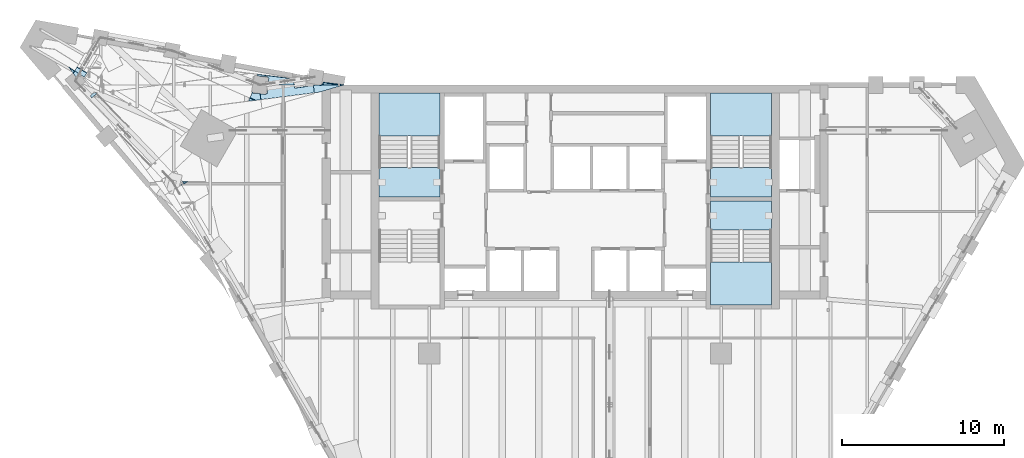
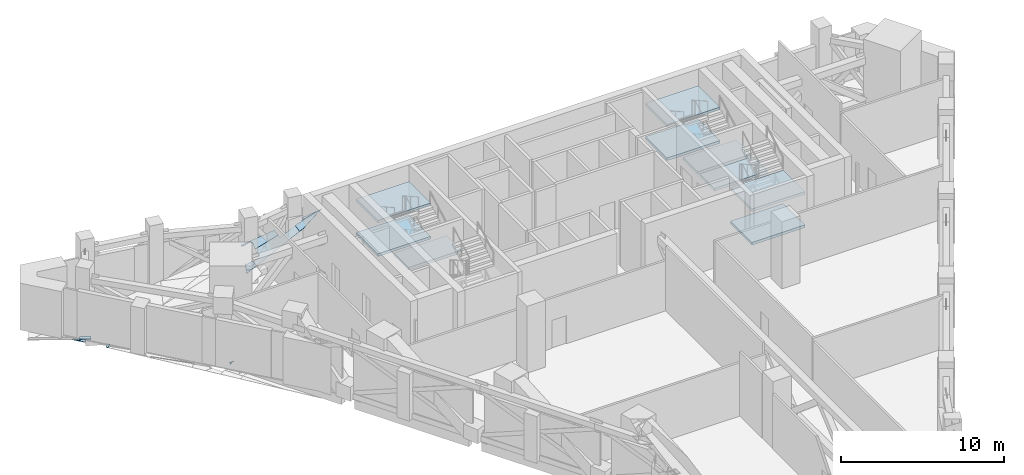
# One storey, part 8 of 22: 12 plates, 9 slabs, 3 elements without a shape of their own.
"""IFC4 building model written with IfcOpenShell, lengths in metres."""

from ifc_helpers import new_model, si_unit, direction, frame, origin, place, context, subcontext, project, spatial, polyline, outline, extrude, material, layer, layer_set, type_object, element, aggregate, save


model = new_model("IFC4")

# Units and contexts
model_context = context("Model", 3, precision=1e-05, world=origin(), true_north=direction((0.0, 1.0)))
body_context = subcontext(model_context, "Body", "Model", "MODEL_VIEW")
ifc_project = project(units=[si_unit("LENGTHUNIT", "METRE"), si_unit("AREAUNIT", "SQUARE_METRE"), si_unit("VOLUMEUNIT", "CUBIC_METRE"), si_unit("PLANEANGLEUNIT", "RADIAN"), si_unit("MASSUNIT", "GRAM", prefix="KILO")], contexts=[model_context])

# Site, building, storey
site_placement = place(None, origin())
site = spatial("IfcSite", under=ifc_project, at=site_placement, CompositionType="ELEMENT")
building_placement = place(site_placement, origin())
building = spatial("IfcBuilding", under=site, at=building_placement, Name="Calabash Gate Tower", CompositionType="ELEMENT")
storey_placement = place(building_placement, frame((0.0, 0.0, 191.39990234375)))
storey = spatial("IfcBuildingStorey", under=building, at=storey_placement, Name="L45", CompositionType="ELEMENT", Elevation=191.39990234375)

# Plates
ifc_material_1 = material(Name="Dark tinted laminated glass", Category="glass")
ifc_layer_1 = layer(ifc_material_1, 0.030029296875)
ifc_layer_set_1 = layer_set([ifc_layer_1], Name="Dark glass soffit plate 30")
plate_type_1 = type_object("IfcPlateType", Name="Dark glass soffit plate 30", PredefinedType="SHEET", material=ifc_layer_set_1)
plate_1_placement = place(storey_placement, frame((-16.14501953125, 19.02587890625, 2.904052734375), z_axis=(-0.25361681577, -0.415055667618, 0.873731825869), x_axis=(0.931325001392, 0.139287036927, 0.336500911032)))
element("IfcPlate", 1, at=plate_1_placement, inside=storey, type_object=plate_type_1, Name="Dark glass soffit SOF-Z4-NW-33", PredefinedType="SHEET", context=body_context, shape_type="SweptSolid", body=[
    extrude(outline(polyline([(0.0, 0.0), (0.195556640625, 0.0), (0.5087890625, -0.077392578125), (0.520751953125, -0.05029296875), (1.939697265625, -0.270263671875), (0.252197265625, -0.498046875), (-0.0751953125, -0.49072265625), (0.0, 0.0)])), origin(), (0.0, 0.0, -1.0), 0.030029296875),
])
plate_2_placement = place(storey_placement, frame((-19.8779296875, 18.60205078125, 1.6201171875), z_axis=(-0.25452607301, -0.41456022981, 0.873702634778), x_axis=(0.000510704964, -0.903514667437, -0.428556863097)))
element("IfcPlate", 2, at=plate_2_placement, inside=storey, type_object=plate_type_1, Name="Dark glass soffit SOF-Z4-NW-38", PredefinedType="SHEET", context=body_context, shape_type="SweptSolid", body=[
    extrude(outline(polyline([(0.0, 0.0), (0.081787109375, 0.0), (0.0322265625, 0.415283203125), (0.034912109375, 0.456787109375), (0.44091796875, 0.50634765625), (0.533203125, 0.150634765625), (0.4140625, -0.192626953125), (-0.00146484375, -0.03125), (0.0, 0.0)])), origin(), (0.0, 0.0, -1.0), 0.030029296875),
])
plate_3_placement = place(storey_placement, frame((-15.64697265625, 19.052978515625, 3.06201171875), z_axis=(-0.253686036907, -0.413477002973, 0.874459926292), x_axis=(0.167772844125, 0.871522979369, 0.460760207923)))
element("IfcPlate", 3, at=plate_3_placement, inside=storey, type_object=plate_type_1, Name="Dark glass soffit SOF-Z4-NW-42", PredefinedType="SHEET", context=body_context, shape_type="SweptSolid", body=[
    extrude(outline(polyline([(0.0, 0.0), (0.05419921875, 0.0), (0.1005859375, -0.09765625), (0.199951171875, -0.0654296875), (0.414794921875, -1.371337890625), (0.0, 0.0)])), origin(), (0.0, 0.0, -1.0), 0.030029296875),
])
plate_4_placement = place(storey_placement, frame((-30.952880859375, 19.77392578125, -0.993896484375), z_axis=(-0.018903103108, -0.005365911836, 0.999806921202), x_axis=(0.517534564692, 0.855541518158, 0.014376545402)))
element("IfcPlate", 4, at=plate_4_placement, inside=storey, type_object=plate_type_1, Name="Dark glass soffit SOF-Z4-NW-43", PredefinedType="SHEET", context=body_context, shape_type="SweptSolid", body=[
    extrude(outline(polyline([(0.0, 0.0), (0.175537109375, 0.0), (0.17529296875, -0.166259765625), (0.110107421875, -0.404296875), (-0.135986328125, -0.33935546875), (0.0, 0.0)])), origin(), (0.0, 0.0, -1.0), 0.030029296875),
])
ifc_material_2 = material(Name="Dark bronze anodised aluminium panel", Category="aluminium")
ifc_layer_2 = layer(ifc_material_2, 0.030029296875)
ifc_layer_set_2 = layer_set([ifc_layer_2], Name="Dark soffit panel plate 30")
plate_type_2 = type_object("IfcPlateType", Name="Dark soffit panel plate 30", PredefinedType="SHEET", material=ifc_layer_set_2)
plate_5_placement = place(storey_placement, frame((-17.299072265625, 18.85791015625, 2.489990234375), z_axis=(-0.253601301315, -0.414547932674, 0.873977340374), x_axis=(0.932453799863, 0.135587822625, 0.334881850027)))
element("IfcPlate", 5, at=plate_5_placement, inside=storey, type_object=plate_type_2, Name="Dark soffit panel SOF-Z4-NW-14", PredefinedType="SHEET", context=body_context, shape_type="SweptSolid", body=[
    extrude(outline(polyline([(0.0, 0.0), (1.237548828125, 0.0), (1.16455078125, -0.490966796875), (-2.359619140625, -0.4326171875), (-2.29931640625, -0.02783203125), (-1.952392578125, -0.152587890625), (-1.91748046875, -0.077880859375), (-1.825927734375, -0.091552734375), (-1.6640625, 0.467529296875), (0.02880859375, 0.21240234375), (0.0, 0.0)])), origin(), (0.0, 0.0, -1.0), 0.030029296875),
])
plate_6_placement = place(storey_placement, frame((-17.383056640625, 19.43603515625, 2.739990234375), z_axis=(-0.253587371794, -0.415086241931, 0.873725847521), x_axis=(0.133285357837, -0.909629173298, -0.393458740494)))
element("IfcPlate", 6, at=plate_6_placement, inside=storey, type_object=plate_type_2, Name="Dark soffit panel SOF-Z4-NW-24", PredefinedType="SHEET", context=body_context, shape_type="SweptSolid", body=[
    extrude(outline(polyline([(0.0, 0.0), (0.421142578125, 0.0), (0.3896484375, -1.711669921875), (-0.0859375, -1.56201171875), (-0.104736328125, -1.650146484375), (-0.185791015625, -1.638916015625), (-0.193359375, -2.057373046875), (-0.23681640625, -2.257080078125), (-0.339111328125, -2.25537109375), (0.0, 0.0)])), origin(), (0.0, 0.0, -1.0), 0.030029296875),
])
plate_7_placement = place(storey_placement, frame((-30.837890625, 19.962890625, -0.990966796875), z_axis=(-0.019162211763, -0.005772493486, 0.999799723924), x_axis=(0.518710222956, 0.854820669875, 0.014877061404)))
element("IfcPlate", 7, at=plate_7_placement, inside=storey, type_object=plate_type_2, Name="Dark soffit panel SOF-Z4-NW-39", PredefinedType="SHEET", context=body_context, shape_type="SweptSolid", body=[
    extrude(outline(polyline([(0.0, 0.0), (0.244873046875, 0.0), (0.2451171875, -0.700439453125), (-0.045166015625, -0.699951171875), (-0.045654296875, -0.165771484375), (0.0, 0.0)])), origin(), (0.0, 0.0, -1.0), 0.030029296875),
])
plate_8_placement = place(storey_placement, frame((-30.5029296875, 19.705078125, -0.969970703125), z_axis=(-0.012325210759, 0.0072713084, 0.999897603384), x_axis=(-0.707067250194, -0.707137281715, -0.003573305518)))
element("IfcPlate", 8, at=plate_8_placement, inside=storey, type_object=plate_type_2, Name="Dark soffit panel SOF-Z4-NW-40", PredefinedType="SHEET", context=body_context, shape_type="SweptSolid", body=[
    extrude(outline(polyline([(0.0, 0.0), (0.0185546875, 0.0), (0.116943359375, -0.40380859375), (-0.15966796875, -0.470703125), (-0.325927734375, 0.20849609375), (-0.04931640625, 0.27587890625), (0.0009765625, 0.068603515625), (0.0, 0.0)])), origin(), (0.0, 0.0, -1.0), 0.030029296875),
])
plate_9_placement = place(storey_placement, frame((-29.635009765625, 18.631103515625, -0.973876953125), z_axis=(-0.016635987108, -0.006060450524, 0.99984324515), x_axis=(0.700776658389, -0.713343014942, 0.007336081372)))
element("IfcPlate", 9, at=plate_9_placement, inside=storey, type_object=plate_type_2, Name="Dark soffit panel SOF-Z4-NW-45", PredefinedType="SHEET", context=body_context, shape_type="SweptSolid", body=[
    extrude(outline(polyline([(0.0, 0.0), (0.15576171875, 0.0), (0.154052734375, -0.388427734375), (-0.0029296875, -0.3671875), (0.0, 0.0)])), origin(), (0.0, 0.0, -1.0), 0.030029296875),
])
plate_10_placement = place(storey_placement, frame((-20.15087890625, 18.050048828125, 1.278076171875), z_axis=(-0.254773069741, -0.415761963045, 0.873059375426), x_axis=(0.350263257226, 0.801866726514, 0.48407169257)))
element("IfcPlate", 10, at=plate_10_placement, inside=storey, type_object=plate_type_2, Name="Dark soffit panel SOF-Z4-NW-47", PredefinedType="SHEET", context=body_context, shape_type="SweptSolid", body=[
    extrude(outline(polyline([(0.0, 0.0), (0.248046875, 0.0), (0.26171875, -0.363037109375), (0.0, 0.0)])), origin(), (0.0, 0.0, -1.0), 0.030029296875),
])
plate_11_placement = place(storey_placement, frame((-31.239013671875, 20.153076171875, -0.997802734375), z_axis=(-0.021924287643, -0.006245604065, 0.999740125253), x_axis=(0.854544537601, -0.519146875822, 0.015496921666)))
element("IfcPlate", 11, at=plate_11_placement, inside=storey, type_object=plate_type_2, Name="Dark soffit panel SOF-Z4-NW-48", PredefinedType="SHEET", context=body_context, shape_type="SweptSolid", body=[
    extrude(outline(polyline([(0.0, 0.0), (0.441162109375, 0.0), (0.44140625, -0.175537109375), (0.0, 0.0)])), origin(), (0.0, 0.0, -1.0), 0.030029296875),
])
plate_12_placement = place(storey_placement, frame((-24.14794921875, 12.969970703125, -0.89599609375), z_axis=(-0.018656535857, -0.004864365098, 0.999814118535), x_axis=(-0.50347428814, 0.863994613375, -0.005191265828)))
element("IfcPlate", 12, at=plate_12_placement, inside=storey, type_object=plate_type_2, Name="Dark soffit panel SOF-Z4-NW-49", PredefinedType="SHEET", context=body_context, shape_type="SweptSolid", body=[
    extrude(outline(polyline([(0.0, 0.0), (0.14697265625, 0.0), (-0.01220703125, -0.27294921875), (-0.012939453125, 0.15234375), (0.0009765625, 0.15234375), (0.0, 0.0)])), origin(), (0.0, 0.0, -1.0), 0.030029296875),
])

# Stair, slabs
ifc_material_3 = material(Name="Concrete C40/50", Category="concrete")
stair_type = type_object("IfcStairType", Name="Exit stair 32 risers of 156.2 mm", PredefinedType="HALF_TURN_STAIR", material=ifc_material_3)
stair_1_placement = place(storey_placement, origin())
stair_1 = element("IfcStair", 13, at=stair_1_placement, inside=storey, type_object=stair_type, Name="L45 Exit stair ST1", PredefinedType="HALF_TURN_STAIR")
ifc_material_4 = material(Name="Concrete C40/50", Category="concrete")
ifc_layer_3 = layer(ifc_material_4, 0.199951171875)
ifc_layer_set_3 = layer_set([ifc_layer_3], Name="Stair landing SL200")
slab_type = type_object("IfcSlabType", Name="Stair landing SL200", PredefinedType="LANDING", material=ifc_layer_set_3)
slab_1_placement = place(storey_placement, frame((0.0, 0.0, 1.050048828125)))
slab_1 = element("IfcSlab", 14, at=slab_1_placement, type_object=slab_type, Name="ST1 landing 1", PredefinedType="LANDING", context=body_context, shape_type="SweptSolid", body=[
    extrude(outline(polyline([(-8.35009765625, 15.905517578125), (-8.35009765625, 18.552490234375), (-12.10009765625, 18.552490234375), (-12.10009765625, 15.905517578125), (-8.35009765625, 15.905517578125)])), origin(), (0.0, 0.0, 1.0), 0.199951171875),
])
slab_2_placement = place(storey_placement, frame((0.0, 0.0, 2.300048828125)))
slab_2 = element("IfcSlab", 15, at=slab_2_placement, type_object=slab_type, Name="ST1 landing 2", PredefinedType="LANDING", context=body_context, shape_type="SweptSolid", body=[
    extrude(outline(polyline([(-8.35009765625, 12.152587890625), (-8.35009765625, 13.95263671875), (-12.10009765625, 13.95263671875), (-12.10009765625, 12.152587890625), (-8.35009765625, 12.152587890625)])), origin(), (0.0, 0.0, 1.0), 0.199951171875),
])
slab_3_placement = place(storey_placement, frame((0.0, 0.0, 3.550048828125)))
slab_3 = element("IfcSlab", 16, at=slab_3_placement, type_object=slab_type, Name="ST1 landing 3", PredefinedType="LANDING", context=body_context, shape_type="SweptSolid", body=[
    extrude(outline(polyline([(-8.35009765625, 15.905517578125), (-8.35009765625, 18.552490234375), (-12.10009765625, 18.552490234375), (-12.10009765625, 15.905517578125), (-8.35009765625, 15.905517578125)])), origin(), (0.0, 0.0, 1.0), 0.199951171875),
])
aggregate(stair_1, [slab_1, slab_2, slab_3])

stair_2_placement = place(storey_placement, origin())
stair_2 = element("IfcStair", 17, at=stair_2_placement, inside=storey, type_object=stair_type, Name="L45 Exit stair ST3", PredefinedType="HALF_TURN_STAIR")
slab_4_placement = place(storey_placement, frame((0.0, 0.0, 1.050048828125)))
slab_4 = element("IfcSlab", 18, at=slab_4_placement, type_object=slab_type, Name="ST3 landing 1", PredefinedType="LANDING", context=body_context, shape_type="SweptSolid", body=[
    extrude(outline(polyline([(12.10009765625, 15.905517578125), (12.10009765625, 18.552490234375), (8.35009765625, 18.552490234375), (8.35009765625, 15.905517578125), (12.10009765625, 15.905517578125)])), origin(), (0.0, 0.0, 1.0), 0.199951171875),
])
slab_5_placement = place(storey_placement, frame((0.0, 0.0, 2.300048828125)))
slab_5 = element("IfcSlab", 19, at=slab_5_placement, type_object=slab_type, Name="ST3 landing 2", PredefinedType="LANDING", context=body_context, shape_type="SweptSolid", body=[
    extrude(outline(polyline([(12.10009765625, 12.152587890625), (12.10009765625, 13.95263671875), (8.35009765625, 13.95263671875), (8.35009765625, 12.152587890625), (12.10009765625, 12.152587890625)])), origin(), (0.0, 0.0, 1.0), 0.199951171875),
])
slab_6_placement = place(storey_placement, frame((0.0, 0.0, 3.550048828125)))
slab_6 = element("IfcSlab", 20, at=slab_6_placement, type_object=slab_type, Name="ST3 landing 3", PredefinedType="LANDING", context=body_context, shape_type="SweptSolid", body=[
    extrude(outline(polyline([(12.10009765625, 15.905517578125), (12.10009765625, 18.552490234375), (8.35009765625, 18.552490234375), (8.35009765625, 15.905517578125), (12.10009765625, 15.905517578125)])), origin(), (0.0, 0.0, 1.0), 0.199951171875),
])
aggregate(stair_2, [slab_4, slab_5, slab_6])

stair_3_placement = place(storey_placement, origin())
stair_3 = element("IfcStair", 21, at=stair_3_placement, inside=storey, type_object=stair_type, Name="L45 Exit stair ST4", PredefinedType="HALF_TURN_STAIR")
slab_7_placement = place(storey_placement, frame((0.0, 0.0, 1.050048828125)))
slab_7 = element("IfcSlab", 22, at=slab_7_placement, type_object=slab_type, Name="ST4 landing 1", PredefinedType="LANDING", context=body_context, shape_type="SweptSolid", body=[
    extrude(outline(polyline([(8.35009765625, 8.149658203125), (8.35009765625, 5.502685546875), (12.10009765625, 5.502685546875), (12.10009765625, 8.149658203125), (8.35009765625, 8.149658203125)])), origin(), (0.0, 0.0, 1.0), 0.199951171875),
])
slab_8_placement = place(storey_placement, frame((0.0, 0.0, 2.300048828125)))
slab_8 = element("IfcSlab", 23, at=slab_8_placement, type_object=slab_type, Name="ST4 landing 2", PredefinedType="LANDING", context=body_context, shape_type="SweptSolid", body=[
    extrude(outline(polyline([(8.35009765625, 11.902587890625), (8.35009765625, 10.1025390625), (12.10009765625, 10.1025390625), (12.10009765625, 11.902587890625), (8.35009765625, 11.902587890625)])), origin(), (0.0, 0.0, 1.0), 0.199951171875),
])
slab_9_placement = place(storey_placement, frame((0.0, 0.0, 3.550048828125)))
slab_9 = element("IfcSlab", 24, at=slab_9_placement, type_object=slab_type, Name="ST4 landing 3", PredefinedType="LANDING", context=body_context, shape_type="SweptSolid", body=[
    extrude(outline(polyline([(8.35009765625, 8.149658203125), (8.35009765625, 5.502685546875), (12.10009765625, 5.502685546875), (12.10009765625, 8.149658203125), (8.35009765625, 8.149658203125)])), origin(), (0.0, 0.0, 1.0), 0.199951171875),
])
aggregate(stair_3, [slab_7, slab_8, slab_9])

save(model, "model.ifc")
